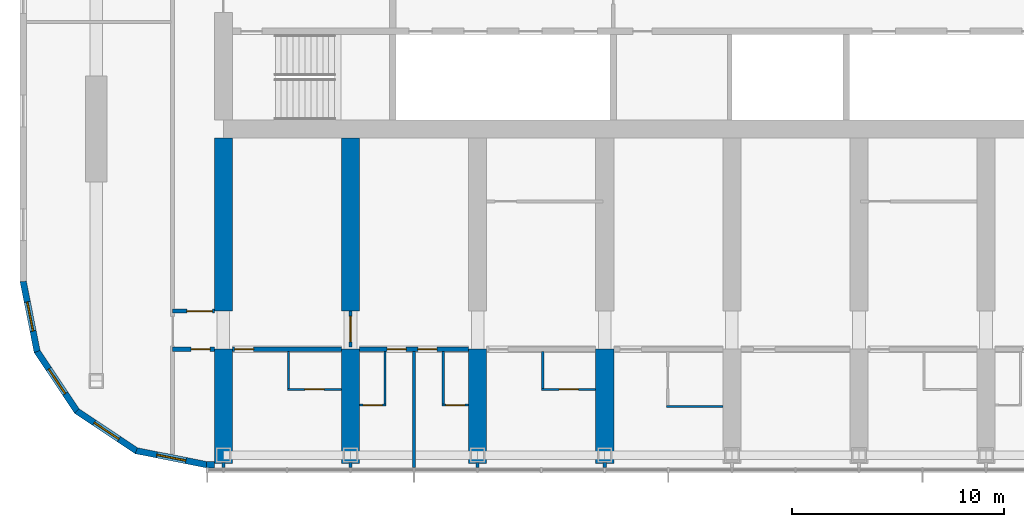
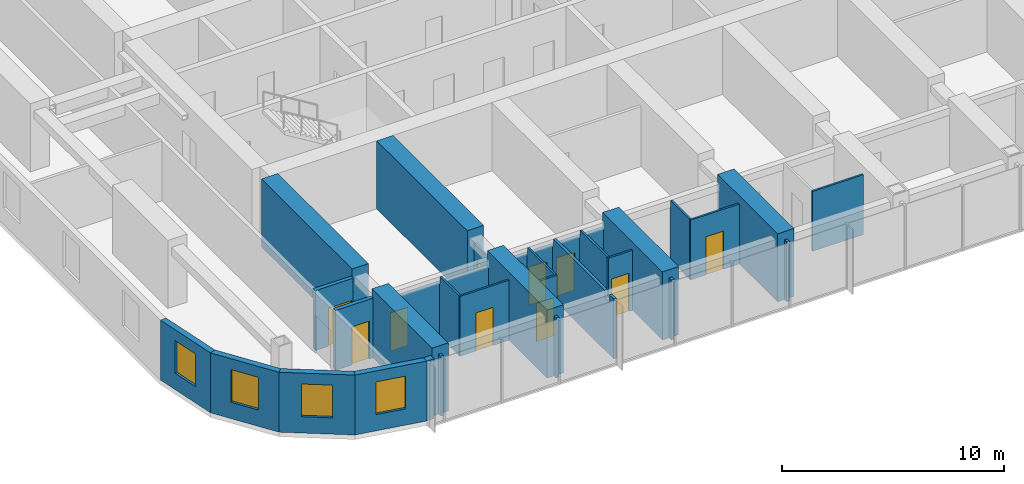
# One storey, part 10 of 22: 30 walls, 10 doors, 4 windows, 14 openings.
"""IFC4 building model written with IfcOpenShell, lengths in metres."""

from ifc_helpers import new_model, si_unit, direction, frame, frame_2d, origin, place, context, subcontext, project, spatial, polyline, rectangle, outline, extrude, material, layer, layer_set, type_object, element, fill, save


model = new_model("IFC4")

# Units and contexts
model_context = context("Model", 3, precision=1e-05, world=origin(), true_north=direction((0.0, 1.0)))
body_context = subcontext(model_context, "Body", "Model", "MODEL_VIEW")
ifc_project = project(units=[si_unit("LENGTHUNIT", "METRE"), si_unit("AREAUNIT", "SQUARE_METRE"), si_unit("VOLUMEUNIT", "CUBIC_METRE"), si_unit("PLANEANGLEUNIT", "RADIAN"), si_unit("MASSUNIT", "GRAM", prefix="KILO")], contexts=[model_context])

# Site, building, storey
site_placement = place(None, origin())
site = spatial("IfcSite", under=ifc_project, at=site_placement, CompositionType="ELEMENT")
building_placement = place(site_placement, origin())
building = spatial("IfcBuilding", under=site, at=building_placement, Name="Orbita Commons", CompositionType="ELEMENT")
storey_placement = place(building_placement, frame((0.0, 0.0, 189.85009765625)))
storey = spatial("IfcBuildingStorey", under=building, at=storey_placement, Name="L47", CompositionType="ELEMENT", Elevation=189.85009765625)

# Wall, opening, door
ifc_material_1 = material(Name="Concrete blockwork", Category="masonry")
ifc_layer_1 = layer(ifc_material_1, 0.199951171875)
ifc_layer_set_1 = layer_set([ifc_layer_1], Name="Concrete blockwork")
wall_type_1 = type_object("IfcWallType", Name="Corridor wall 200 blockwork", PredefinedType="SOLIDWALL", material=ifc_layer_set_1)
wall_1_placement = place(storey_placement, frame((15.60009765625, 15.39990234375, 0.0), z_axis=(0.0, 0.0, 1.0), x_axis=(1.0, 0.0, 0.0)))
wall_1 = element("IfcWall", 1, at=wall_1_placement, inside=storey, type_object=wall_type_1, Name="Corridor wall 200 blockwork L47", PredefinedType="SOLIDWALL", context=body_context, shape_type="SweptSolid", body=[
    extrude(rectangle(XDim=1.974853515625, YDim=0.199951171875, at=frame_2d((0.9873046875, 0.0))), origin(), (0.0, 0.0, 1.0), 3.2998046875),
])
opening_1_placement = place(wall_1_placement, frame((0.875, 0.0, 0.0)))
opening_1 = element("IfcOpeningElement", 2, at=opening_1_placement, cuts=wall_1, Name="Opening D05", PredefinedType="OPENING", context=body_context, shape_type="SweptSolid", body=[
    extrude(rectangle(XDim=0.89990234375, YDim=2.10009765625, at=frame_2d((0.449951171875, 1.050048828125))), frame((0.0, 0.10986328125, 0.0), z_axis=(0.0, -1.0, 0.0), x_axis=(1.0, 0.0, 0.0)), (0.0, 0.0, 1.0), 0.219970703125),
])
ifc_material_2 = material(Name="Steel-faced fire door leaf", Category="steel")
door_type_1 = type_object("IfcDoorType", Name="Service door 20 min 900x2100", OperationType="SINGLE_SWING_LEFT", PredefinedType="DOOR", material=ifc_material_2)
door_1_placement = place(opening_1_placement, origin())
door_1 = element("IfcDoor", 3, at=door_1_placement, inside=storey, type_object=door_type_1, Name="Linen store L47-KWS door", OperationType="SINGLE_SWING_LEFT", OverallHeight=2.10009765625, OverallWidth=0.89990234375, PredefinedType="DOOR", context=body_context, shape_type="SweptSolid", body=[
    extrude(rectangle(XDim=0.89990234375, YDim=2.10009765625, at=frame_2d((0.449951171875, 1.050048828125))), frame((0.0, 0.02490234375, 0.0), z_axis=(0.0, -1.0, 0.0), x_axis=(1.0, 0.0, 0.0)), (0.0, 0.0, 1.0), 0.050048828125),
])
fill(opening_1, door_1)

wall_2_placement = place(storey_placement, frame((18.425048828125, 15.39990234375, 0.0), z_axis=(0.0, 0.0, 1.0), x_axis=(1.0, 0.0, 0.0)))
wall_2 = element("IfcWall", 4, at=wall_2_placement, inside=storey, type_object=wall_type_1, Name="Corridor wall 200 blockwork L47", PredefinedType="SOLIDWALL", context=body_context, shape_type="SweptSolid", body=[
    extrude(outline(polyline([(0.0, 0.0), (5.14990234375, 0.0), (5.14990234375, 2.89990234375), (0.0, 2.89990234375), (0.0, 0.0)])), frame((0.0, 0.10009765625, 0.0), z_axis=(0.0, -1.0, 0.0), x_axis=(1.0, 0.0, 0.0)), (0.0, 0.0, 1.0), 0.199951171875),
])
opening_2_placement = place(wall_2_placement, frame((0.10009765625, 0.0, 0.0)))
opening_2 = element("IfcOpeningElement", 5, at=opening_2_placement, cuts=wall_2, Name="Opening D11", PredefinedType="OPENING", context=body_context, shape_type="SweptSolid", body=[
    extrude(rectangle(XDim=0.89990234375, YDim=2.10009765625, at=frame_2d((0.449951171875, 1.050048828125))), frame((0.0, 0.10986328125, 0.0), z_axis=(0.0, -1.0, 0.0), x_axis=(1.0, 0.0, 0.0)), (0.0, 0.0, 1.0), 0.219970703125),
])
ifc_material_3 = material(Name="Steel-faced fire door leaf", Category="steel")
door_type_2 = type_object("IfcDoorType", Name="Corridor door 20 min 900x2100", OperationType="SINGLE_SWING_LEFT", PredefinedType="DOOR", material=ifc_material_3)
door_2_placement = place(opening_2_placement, origin())
door_2 = element("IfcDoor", 6, at=door_2_placement, inside=storey, type_object=door_type_2, Name="Twin room L47-S00 door", OperationType="SINGLE_SWING_LEFT", OverallHeight=2.10009765625, OverallWidth=0.89990234375, PredefinedType="DOOR", context=body_context, shape_type="SweptSolid", body=[
    extrude(rectangle(XDim=0.89990234375, YDim=2.10009765625, at=frame_2d((0.449951171875, 1.050048828125))), frame((0.0, 0.02490234375, 0.0), z_axis=(0.0, -1.0, 0.0), x_axis=(1.0, 0.0, 0.0)), (0.0, 0.0, 1.0), 0.050048828125),
])
fill(opening_2, door_2)

# Wall, openings, doors
wall_3_placement = place(storey_placement, frame((24.425048828125, 15.39990234375, 0.0), z_axis=(0.0, 0.0, 1.0), x_axis=(1.0, 0.0, 0.0)))
wall_3 = element("IfcWall", 7, at=wall_3_placement, inside=storey, type_object=wall_type_1, Name="Corridor wall 200 blockwork L47", PredefinedType="SOLIDWALL", context=body_context, shape_type="SweptSolid", body=[
    extrude(outline(polyline([(0.0, 0.0), (5.14990234375, 0.0), (5.14990234375, 2.89990234375), (0.0, 2.89990234375), (0.0, 0.0)])), frame((0.0, 0.10009765625, 0.0), z_axis=(0.0, -1.0, 0.0), x_axis=(1.0, 0.0, 0.0)), (0.0, 0.0, 1.0), 0.199951171875),
])
opening_3_placement = place(wall_3_placement, frame((1.300048828125, 0.0, 0.0)))
opening_3 = element("IfcOpeningElement", 8, at=opening_3_placement, cuts=wall_3, Name="Opening D11", PredefinedType="OPENING", context=body_context, shape_type="SweptSolid", body=[
    extrude(rectangle(XDim=0.89990234375, YDim=2.10009765625, at=frame_2d((0.449951171875, 1.050048828125))), frame((0.0, 0.10986328125, 0.0), z_axis=(0.0, -1.0, 0.0), x_axis=(1.0, 0.0, 0.0)), (0.0, 0.0, 1.0), 0.219970703125),
])
opening_4_placement = place(wall_3_placement, frame((2.75, 0.0, 0.0)))
opening_4 = element("IfcOpeningElement", 9, at=opening_4_placement, cuts=wall_3, Name="Opening D11", PredefinedType="OPENING", context=body_context, shape_type="SweptSolid", body=[
    extrude(rectangle(XDim=0.89990234375, YDim=2.10009765625, at=frame_2d((0.449951171875, 1.050048828125))), frame((0.0, 0.10986328125, 0.0), z_axis=(0.0, -1.0, 0.0), x_axis=(1.0, 0.0, 0.0)), (0.0, 0.0, 1.0), 0.219970703125),
])
door_3_placement = place(opening_3_placement, origin())
door_3 = element("IfcDoor", 10, at=door_3_placement, inside=storey, type_object=door_type_2, Name="Cluster bedroom L47-S02 door", OperationType="SINGLE_SWING_LEFT", OverallHeight=2.10009765625, OverallWidth=0.89990234375, PredefinedType="DOOR", context=body_context, shape_type="SweptSolid", body=[
    extrude(rectangle(XDim=0.89990234375, YDim=2.10009765625, at=frame_2d((0.449951171875, 1.050048828125))), frame((0.0, 0.02490234375, 0.0), z_axis=(0.0, -1.0, 0.0), x_axis=(1.0, 0.0, 0.0)), (0.0, 0.0, 1.0), 0.050048828125),
])
fill(opening_3, door_3)
door_4_placement = place(opening_4_placement, origin())
door_4 = element("IfcDoor", 11, at=door_4_placement, inside=storey, type_object=door_type_2, Name="Cluster bedroom L47-S03 door", OperationType="SINGLE_SWING_LEFT", OverallHeight=2.10009765625, OverallWidth=0.89990234375, PredefinedType="DOOR", context=body_context, shape_type="SweptSolid", body=[
    extrude(rectangle(XDim=0.89990234375, YDim=2.10009765625, at=frame_2d((0.449951171875, 1.050048828125))), frame((0.0, 0.02490234375, 0.0), z_axis=(0.0, -1.0, 0.0), x_axis=(1.0, 0.0, 0.0)), (0.0, 0.0, 1.0), 0.050048828125),
])
fill(opening_4, door_4)

# Wall, opening, door
ifc_material_4 = material(Name="Hollow concrete block 200", Category="concrete")
ifc_layer_2 = layer(ifc_material_4, 0.199951171875)
ifc_layer_set_2 = layer_set([ifc_layer_2], Name="Hollow concrete block 200")
wall_type_2 = type_object("IfcWallType", Name="Corridor wall 200 hollow concrete block", PredefinedType="SOLIDWALL", material=ifc_layer_set_2)
wall_4_placement = place(storey_placement, frame((15.60009765625, 17.199951171875, 0.0), z_axis=(0.0, 0.0, 1.0), x_axis=(1.0, 0.0, 0.0)))
wall_4 = element("IfcWall", 12, at=wall_4_placement, inside=storey, type_object=wall_type_2, Name="Corridor wall 200 hollow concrete block L47", PredefinedType="SOLIDWALL", context=body_context, shape_type="SweptSolid", body=[
    extrude(rectangle(XDim=1.974853515625, YDim=0.199951171875, at=frame_2d((0.9873046875, 0.0))), origin(), (0.0, 0.0, 1.0), 3.2998046875),
])
opening_5_placement = place(wall_4_placement, frame((0.675048828125, 0.0, 0.0)))
opening_5 = element("IfcOpeningElement", 13, at=opening_5_placement, cuts=wall_4, Name="Opening D12", PredefinedType="OPENING", context=body_context, shape_type="SweptSolid", body=[
    extrude(rectangle(XDim=1.199951171875, YDim=2.10009765625, at=frame_2d((0.60009765625, 1.050048828125))), frame((0.0, 0.10986328125, 0.0), z_axis=(0.0, -1.0, 0.0), x_axis=(1.0, 0.0, 0.0)), (0.0, 0.0, 1.0), 0.219970703125),
])
ifc_material_5 = material(Name="Steel-faced fire door leaf", Category="steel")
door_type_3 = type_object("IfcDoorType", Name="Double corridor door 20 min 1200x2100", OperationType="DOUBLE_DOOR_SINGLE_SWING", PredefinedType="DOOR", material=ifc_material_5)
door_5_placement = place(opening_5_placement, origin())
door_5 = element("IfcDoor", 14, at=door_5_placement, inside=storey, type_object=door_type_3, Name="Cross corridor doors", OperationType="DOUBLE_DOOR_SINGLE_SWING", OverallHeight=2.10009765625, OverallWidth=1.199951171875, PredefinedType="DOOR", context=body_context, shape_type="SweptSolid", body=[
    extrude(rectangle(XDim=1.199951171875, YDim=2.10009765625, at=frame_2d((0.60009765625, 1.050048828125))), frame((0.0, 0.02490234375, 0.0), z_axis=(0.0, -1.0, 0.0), x_axis=(1.0, 0.0, 0.0)), (0.0, 0.0, 1.0), 0.050048828125),
])
fill(opening_5, door_5)

# Walls
ifc_material_6 = material(Name="Concrete C50/60", Category="concrete")
ifc_layer_3 = layer(ifc_material_6, 0.85009765625)
ifc_layer_set_3 = layer_set([ifc_layer_3], Name="Concrete C50/60")
wall_type_3 = type_object("IfcWallType", Name="Cross wall 850 C50/60", PredefinedType="SHEAR", material=ifc_layer_set_3)
wall_5_placement = place(storey_placement, frame((18.0, 10.0, 0.0), z_axis=(0.0, 0.0, 1.0), x_axis=(0.0, 1.0, 0.0)))
element("IfcWall", 15, at=wall_5_placement, inside=storey, type_object=wall_type_3, Name="Cross wall 4 south outer L47", PredefinedType="SHEAR", context=body_context, shape_type="SweptSolid", body=[
    extrude(rectangle(XDim=5.39990234375, YDim=0.85009765625, at=frame_2d((2.699951171875, 0.0))), origin(), (0.0, 0.0, 1.0), 3.75),
])
wall_6_placement = place(storey_placement, frame((18.0, 17.199951171875, 0.0), z_axis=(0.0, 0.0, 1.0), x_axis=(0.0, 1.0, 0.0)))
element("IfcWall", 16, at=wall_6_placement, inside=storey, type_object=wall_type_3, Name="Cross wall 4 south inner L47", PredefinedType="SHEAR", context=body_context, shape_type="SweptSolid", body=[
    extrude(rectangle(XDim=8.175048828125, YDim=0.85009765625, at=frame_2d((4.08740234375, 0.0))), origin(), (0.0, 0.0, 1.0), 3.75),
])
wall_7_placement = place(storey_placement, frame((24.0, 10.0, 0.0), z_axis=(0.0, 0.0, 1.0), x_axis=(0.0, 1.0, 0.0)))
element("IfcWall", 17, at=wall_7_placement, inside=storey, type_object=wall_type_3, Name="Cross wall 5 south outer L47", PredefinedType="SHEAR", context=body_context, shape_type="SweptSolid", body=[
    extrude(rectangle(XDim=5.39990234375, YDim=0.85009765625, at=frame_2d((2.699951171875, 0.0))), origin(), (0.0, 0.0, 1.0), 3.75),
])
wall_8_placement = place(storey_placement, frame((24.0, 17.199951171875, 0.0), z_axis=(0.0, 0.0, 1.0), x_axis=(0.0, 1.0, 0.0)))
element("IfcWall", 18, at=wall_8_placement, inside=storey, type_object=wall_type_3, Name="Cross wall 5 south inner L47", PredefinedType="SHEAR", context=body_context, shape_type="SweptSolid", body=[
    extrude(rectangle(XDim=8.175048828125, YDim=0.85009765625, at=frame_2d((4.08740234375, 0.0))), origin(), (0.0, 0.0, 1.0), 3.75),
])
for number, where, z_axis, x_axis, name in (
    (19, (30.0, 10.0, 0.0), (0.0, 0.0, 1.0), (0.0, 1.0, 0.0), "Cross wall 6 south outer L47"),
    (20, (36.0, 10.0, 0.0), (0.0, 0.0, 1.0), (0.0, 1.0, 0.0), "Cross wall 7 south outer L47"),
):
    element("IfcWall", number, at=place(storey_placement, frame(where, z_axis=z_axis, x_axis=x_axis)), inside=storey, type_object=wall_type_3, Name=name, PredefinedType="SHEAR", context=body_context, shape_type="SweptSolid", body=[
        extrude(rectangle(XDim=5.39990234375, YDim=0.85009765625, at=frame_2d((2.699951171875, 0.0))), origin(), (0.0, 0.0, 1.0), 3.75),
    ])

# Wall, opening, door
ifc_material_7 = material(Name="Moisture-resistant plasterboard on steel studs", Category="steel")
ifc_layer_4 = layer(ifc_material_7, 0.10009765625)
ifc_layer_set_4 = layer_set([ifc_layer_4], Name="Moisture-resistant plasterboard on steel studs")
wall_type_4 = type_object("IfcWallType", Name="En-suite partition 100", PredefinedType="PARTITIONING", material=ifc_layer_set_4)
wall_9_placement = place(storey_placement, frame((23.574951171875, 13.5, 0.0), z_axis=(0.0, 0.0, 1.0), x_axis=(-1.0, 0.0, 0.0)))
wall_9 = element("IfcWall", 21, at=wall_9_placement, inside=storey, type_object=wall_type_4, Name="En-suite partition 100 L47", PredefinedType="PARTITIONING", context=body_context, shape_type="SweptSolid", body=[
    extrude(rectangle(XDim=2.550048828125, YDim=0.10009765625, at=frame_2d((1.27490234375, 0.0))), origin(), (0.0, 0.0, 1.0), 3.2998046875),
])
opening_6_placement = place(wall_9_placement, frame((0.824951171875, 0.0, 0.0)))
opening_6 = element("IfcOpeningElement", 22, at=opening_6_placement, cuts=wall_9, Name="Opening D09", PredefinedType="OPENING", context=body_context, shape_type="SweptSolid", body=[
    extrude(rectangle(XDim=0.89990234375, YDim=2.10009765625, at=frame_2d((0.449951171875, 1.050048828125))), frame((0.0, 0.06005859375, 0.0), z_axis=(0.0, -1.0, 0.0), x_axis=(1.0, 0.0, 0.0)), (0.0, 0.0, 1.0), 0.1201171875),
])
ifc_material_8 = material(Name="Laminated timber door leaf", Category="wood")
door_type_4 = type_object("IfcDoorType", Name="En-suite door 900x2100", OperationType="SINGLE_SWING_RIGHT", PredefinedType="DOOR", material=ifc_material_8)
door_6_placement = place(opening_6_placement, origin())
door_6 = element("IfcDoor", 23, at=door_6_placement, inside=storey, type_object=door_type_4, Name="En-suite L47-S00 door", OperationType="SINGLE_SWING_RIGHT", OverallHeight=2.10009765625, OverallWidth=0.89990234375, PredefinedType="DOOR", context=body_context, shape_type="SweptSolid", body=[
    extrude(rectangle(XDim=0.89990234375, YDim=2.10009765625, at=frame_2d((0.449951171875, 1.050048828125))), frame((0.0, 0.02490234375, 0.0), z_axis=(0.0, -1.0, 0.0), x_axis=(1.0, 0.0, 0.0)), (0.0, 0.0, 1.0), 0.050048828125),
])
fill(opening_6, door_6)

# Wall
wall_10_placement = place(storey_placement, frame((21.074951171875, 13.550048828125, 0.0), z_axis=(0.0, 0.0, 1.0), x_axis=(0.0, 1.0, 0.0)))
element("IfcWall", 24, at=wall_10_placement, inside=storey, type_object=wall_type_4, Name="En-suite partition 100 L47", PredefinedType="PARTITIONING", context=body_context, shape_type="SweptSolid", body=[
    extrude(outline(polyline([(0.0, 0.0), (1.75, 0.0), (1.75, 2.89990234375), (1.701904296875, 2.89990234375), (1.699951171875, 3.2998046875), (0.0, 3.2998046875), (0.0, 0.0)])), frame((0.0, 0.050048828125, 0.0), z_axis=(0.0, -1.0, 0.0), x_axis=(1.0, 0.0, 0.0)), (0.0, 0.0, 1.0), 0.10009765625),
])

# Wall, opening, door
wall_11_placement = place(storey_placement, frame((25.675048828125, 12.75830078125, 0.0), z_axis=(0.0, 0.0, 1.0), x_axis=(-1.0, 0.0, 0.0)))
wall_11 = element("IfcWall", 25, at=wall_11_placement, inside=storey, type_object=wall_type_4, Name="En-suite partition 100 L47", PredefinedType="PARTITIONING", context=body_context, shape_type="SweptSolid", body=[
    extrude(rectangle(XDim=1.25, YDim=0.10009765625, at=frame_2d((0.625, 0.0))), origin(), (0.0, 0.0, 1.0), 3.2998046875),
])
opening_7_placement = place(wall_11_placement, frame((0.175048828125, 0.0, 0.0)))
opening_7 = element("IfcOpeningElement", 26, at=opening_7_placement, cuts=wall_11, Name="Opening D09", PredefinedType="OPENING", context=body_context, shape_type="SweptSolid", body=[
    extrude(rectangle(XDim=0.89990234375, YDim=2.10009765625, at=frame_2d((0.449951171875, 1.050048828125))), frame((0.0, 0.06005859375, 0.0), z_axis=(0.0, -1.0, 0.0), x_axis=(1.0, 0.0, 0.0)), (0.0, 0.0, 1.0), 0.1201171875),
])
door_7_placement = place(opening_7_placement, origin())
door_7 = element("IfcDoor", 27, at=door_7_placement, inside=storey, type_object=door_type_4, Name="En-suite L47-S02 door", OperationType="SINGLE_SWING_RIGHT", OverallHeight=2.10009765625, OverallWidth=0.89990234375, PredefinedType="DOOR", context=body_context, shape_type="SweptSolid", body=[
    extrude(rectangle(XDim=0.89990234375, YDim=2.10009765625, at=frame_2d((0.449951171875, 1.050048828125))), frame((0.0, 0.02490234375, 0.0), z_axis=(0.0, -1.0, 0.0), x_axis=(1.0, 0.0, 0.0)), (0.0, 0.0, 1.0), 0.050048828125),
])
fill(opening_7, door_7)

# Wall
wall_12_placement = place(storey_placement, frame((25.625, 12.808349609375, 0.0), z_axis=(0.0, 0.0, 1.0), x_axis=(0.0, 1.0, 0.0)))
element("IfcWall", 28, at=wall_12_placement, inside=storey, type_object=wall_type_4, Name="En-suite partition 100 L47", PredefinedType="PARTITIONING", context=body_context, shape_type="SweptSolid", body=[
    extrude(outline(polyline([(0.0, 0.0), (2.49169921875, 0.0), (2.49169921875, 2.89990234375), (2.443603515625, 2.89990234375), (2.441650390625, 3.2998046875), (0.0, 3.2998046875), (0.0, 0.0)])), frame((0.0, 0.050048828125, 0.0), z_axis=(0.0, -1.0, 0.0), x_axis=(1.0, 0.0, 0.0)), (0.0, 0.0, 1.0), 0.10009765625),
])

# Wall, opening, door
wall_13_placement = place(storey_placement, frame((29.574951171875, 12.75830078125, 0.0), z_axis=(0.0, 0.0, 1.0), x_axis=(-1.0, 0.0, 0.0)))
wall_13 = element("IfcWall", 29, at=wall_13_placement, inside=storey, type_object=wall_type_4, Name="En-suite partition 100 L47", PredefinedType="PARTITIONING", context=body_context, shape_type="SweptSolid", body=[
    extrude(rectangle(XDim=1.25, YDim=0.10009765625, at=frame_2d((0.625, 0.0))), origin(), (0.0, 0.0, 1.0), 3.2998046875),
])
opening_8_placement = place(wall_13_placement, frame((0.175048828125, 0.0, 0.0)))
opening_8 = element("IfcOpeningElement", 30, at=opening_8_placement, cuts=wall_13, Name="Opening D09", PredefinedType="OPENING", context=body_context, shape_type="SweptSolid", body=[
    extrude(rectangle(XDim=0.89990234375, YDim=2.10009765625, at=frame_2d((0.449951171875, 1.050048828125))), frame((0.0, 0.06005859375, 0.0), z_axis=(0.0, -1.0, 0.0), x_axis=(1.0, 0.0, 0.0)), (0.0, 0.0, 1.0), 0.1201171875),
])
door_8_placement = place(opening_8_placement, origin())
door_8 = element("IfcDoor", 31, at=door_8_placement, inside=storey, type_object=door_type_4, Name="En-suite L47-S03 door", OperationType="SINGLE_SWING_RIGHT", OverallHeight=2.10009765625, OverallWidth=0.89990234375, PredefinedType="DOOR", context=body_context, shape_type="SweptSolid", body=[
    extrude(rectangle(XDim=0.89990234375, YDim=2.10009765625, at=frame_2d((0.449951171875, 1.050048828125))), frame((0.0, 0.02490234375, 0.0), z_axis=(0.0, -1.0, 0.0), x_axis=(1.0, 0.0, 0.0)), (0.0, 0.0, 1.0), 0.050048828125),
])
fill(opening_8, door_8)

# Wall
wall_14_placement = place(storey_placement, frame((28.375, 12.808349609375, 0.0), z_axis=(0.0, 0.0, 1.0), x_axis=(0.0, 1.0, 0.0)))
element("IfcWall", 32, at=wall_14_placement, inside=storey, type_object=wall_type_4, Name="En-suite partition 100 L47", PredefinedType="PARTITIONING", context=body_context, shape_type="SweptSolid", body=[
    extrude(outline(polyline([(0.0, 0.0), (2.49169921875, 0.0), (2.49169921875, 2.89990234375), (2.443603515625, 2.89990234375), (2.441650390625, 3.2998046875), (0.0, 3.2998046875), (0.0, 0.0)])), frame((0.0, 0.050048828125, 0.0), z_axis=(0.0, -1.0, 0.0), x_axis=(1.0, 0.0, 0.0)), (0.0, 0.0, 1.0), 0.10009765625),
])

# Wall, opening, door
wall_15_placement = place(storey_placement, frame((35.574951171875, 13.5, 0.0), z_axis=(0.0, 0.0, 1.0), x_axis=(-1.0, 0.0, 0.0)))
wall_15 = element("IfcWall", 33, at=wall_15_placement, inside=storey, type_object=wall_type_4, Name="En-suite partition 100 L47", PredefinedType="PARTITIONING", context=body_context, shape_type="SweptSolid", body=[
    extrude(rectangle(XDim=2.550048828125, YDim=0.10009765625, at=frame_2d((1.27490234375, 0.0))), origin(), (0.0, 0.0, 1.0), 3.2998046875),
])
opening_9_placement = place(wall_15_placement, frame((0.824951171875, 0.0, 0.0)))
opening_9 = element("IfcOpeningElement", 34, at=opening_9_placement, cuts=wall_15, Name="Opening D09", PredefinedType="OPENING", context=body_context, shape_type="SweptSolid", body=[
    extrude(rectangle(XDim=0.89990234375, YDim=2.10009765625, at=frame_2d((0.449951171875, 1.050048828125))), frame((0.0, 0.06005859375, 0.0), z_axis=(0.0, -1.0, 0.0), x_axis=(1.0, 0.0, 0.0)), (0.0, 0.0, 1.0), 0.1201171875),
])
door_9_placement = place(opening_9_placement, origin())
door_9 = element("IfcDoor", 35, at=door_9_placement, inside=storey, type_object=door_type_4, Name="En-suite L47-S04 door", OperationType="SINGLE_SWING_RIGHT", OverallHeight=2.10009765625, OverallWidth=0.89990234375, PredefinedType="DOOR", context=body_context, shape_type="SweptSolid", body=[
    extrude(rectangle(XDim=0.89990234375, YDim=2.10009765625, at=frame_2d((0.449951171875, 1.050048828125))), frame((0.0, 0.02490234375, 0.0), z_axis=(0.0, -1.0, 0.0), x_axis=(1.0, 0.0, 0.0)), (0.0, 0.0, 1.0), 0.050048828125),
])
fill(opening_9, door_9)

# Walls
wall_16_placement = place(storey_placement, frame((33.074951171875, 13.550048828125, 0.0), z_axis=(0.0, 0.0, 1.0), x_axis=(0.0, 1.0, 0.0)))
element("IfcWall", 36, at=wall_16_placement, inside=storey, type_object=wall_type_4, Name="En-suite partition 100 L47", PredefinedType="PARTITIONING", context=body_context, shape_type="SweptSolid", body=[
    extrude(outline(polyline([(0.0, 0.0), (1.75, 0.0), (1.75, 2.89990234375), (1.701904296875, 2.89990234375), (1.699951171875, 3.2998046875), (0.0, 3.2998046875), (0.0, 0.0)])), frame((0.0, 0.050048828125, 0.0), z_axis=(0.0, -1.0, 0.0), x_axis=(1.0, 0.0, 0.0)), (0.0, 0.0, 1.0), 0.10009765625),
])
wall_17_placement = place(storey_placement, frame((38.925048828125, 12.699951171875, 0.0), z_axis=(0.0, 0.0, 1.0), x_axis=(1.0, 0.0, 0.0)))
element("IfcWall", 37, at=wall_17_placement, inside=storey, type_object=wall_type_4, Name="En-suite partition 100 L47", PredefinedType="PARTITIONING", context=body_context, shape_type="SweptSolid", body=[
    extrude(rectangle(XDim=2.64990234375, YDim=0.10009765625, at=frame_2d((1.324951171875, 0.0))), origin(), (0.0, 0.0, 1.0), 3.2998046875),
])

# Wall, opening, door
ifc_material_9 = material(Name="Gypsum plasterboard on steel studs", Category="steel")
ifc_layer_5 = layer(ifc_material_9, 0.14990234375)
ifc_layer_set_5 = layer_set([ifc_layer_5], Name="Gypsum plasterboard on steel studs")
wall_type_5 = type_object("IfcWallType", Name="Partition 150 plasterboard", PredefinedType="PARTITIONING", material=ifc_layer_set_5)
wall_18_placement = place(storey_placement, frame((24.0, 15.5, 0.0), z_axis=(0.0, 0.0, 1.0), x_axis=(0.0, 1.0, 0.0)))
wall_18 = element("IfcWall", 38, at=wall_18_placement, inside=storey, type_object=wall_type_5, Name="Partition 150 plasterboard L47", PredefinedType="PARTITIONING", context=body_context, shape_type="SweptSolid", body=[
    extrude(outline(polyline([(0.0, 0.0), (1.699951171875, 0.0), (1.699951171875, 2.89990234375), (0.0, 2.89990234375), (0.0, 0.0)])), frame((0.0, 0.074951171875, 0.0), z_axis=(0.0, -1.0, 0.0), x_axis=(1.0, 0.0, 0.0)), (0.0, 0.0, 1.0), 0.14990234375),
])
opening_10_placement = place(wall_18_placement, frame((0.25, 0.0, 0.0)))
opening_10 = element("IfcOpeningElement", 39, at=opening_10_placement, cuts=wall_18, Name="Opening D12", PredefinedType="OPENING", context=body_context, shape_type="SweptSolid", body=[
    extrude(rectangle(XDim=1.199951171875, YDim=2.10009765625, at=frame_2d((0.60009765625, 1.050048828125))), frame((0.0, 0.0849609375, 0.0), z_axis=(0.0, -1.0, 0.0), x_axis=(1.0, 0.0, 0.0)), (0.0, 0.0, 1.0), 0.169921875),
])
door_10_placement = place(opening_10_placement, origin())
door_10 = element("IfcDoor", 40, at=door_10_placement, inside=storey, type_object=door_type_3, Name="Social spine south screen doors", OperationType="DOUBLE_DOOR_SINGLE_SWING", OverallHeight=2.10009765625, OverallWidth=1.199951171875, PredefinedType="DOOR", context=body_context, shape_type="SweptSolid", body=[
    extrude(rectangle(XDim=1.199951171875, YDim=2.10009765625, at=frame_2d((0.60009765625, 1.050048828125))), frame((0.0, 0.02490234375, 0.0), z_axis=(0.0, -1.0, 0.0), x_axis=(1.0, 0.0, 0.0)), (0.0, 0.0, 1.0), 0.050048828125),
])
fill(opening_10, door_10)

# Walls
for number, where, z_axis, x_axis, name in (
    (41, (18.0, 10.050048828125, 0.0), (0.0, 0.0, 1.0), (0.0, -1.0, 0.0), "Partition 150 plasterboard L47"),
    (42, (24.0, 10.050048828125, 0.0), (0.0, 0.0, 1.0), (0.0, -1.0, 0.0), "Partition 150 plasterboard L47"),
    (43, (30.0, 10.050048828125, 0.0), (0.0, 0.0, 1.0), (0.0, -1.0, 0.0), "Partition 150 plasterboard L47"),
    (44, (36.0, 10.050048828125, 0.0), (0.0, 0.0, 1.0), (0.0, -1.0, 0.0), "Partition 150 plasterboard L47"),
):
    element("IfcWall", number, at=place(storey_placement, frame(where, z_axis=z_axis, x_axis=x_axis)), inside=storey, type_object=wall_type_5, Name=name, PredefinedType="PARTITIONING", context=body_context, shape_type="SweptSolid", body=[
        extrude(rectangle(XDim=0.239990234375, YDim=0.14990234375, at=frame_2d((0.1201171875, 0.0))), origin(), (0.0, 0.0, 1.0), 3.2998046875),
    ])
ifc_material_10 = material(Name="Gypsum plasterboard on steel studs", Category="steel")
ifc_layer_6 = layer(ifc_material_10, 0.14990234375)
ifc_layer_set_6 = layer_set([ifc_layer_6], Name="Gypsum plasterboard on steel studs")
wall_type_6 = type_object("IfcWallType", Name="Party wall 150 plasterboard", PredefinedType="PARTITIONING", material=ifc_layer_set_6)
wall_19_placement = place(storey_placement, frame((27.0, 9.81005859375, 0.0), z_axis=(0.0, 0.0, 1.0), x_axis=(0.0, 1.0, 0.0)))
element("IfcWall", 45, at=wall_19_placement, inside=storey, type_object=wall_type_6, Name="Party wall 150 plasterboard L47", PredefinedType="PARTITIONING", context=body_context, shape_type="SweptSolid", body=[
    extrude(outline(polyline([(0.0, 0.0), (5.489990234375, 0.0), (5.489990234375, 2.89990234375), (5.44189453125, 2.89990234375), (5.43994140625, 3.2998046875), (0.7919921875, 3.2998046875), (0.7900390625, 2.89990234375), (0.39208984375, 2.89990234375), (0.389892578125, 3.2998046875), (0.0, 3.2998046875), (0.0, 0.0)])), frame((0.0, 0.074951171875, 0.0), z_axis=(0.0, -1.0, 0.0), x_axis=(1.0, 0.0, 0.0)), (0.0, 0.0, 1.0), 0.14990234375),
])

# Wall, opening, window
ifc_material_11 = material(Name="Precast concrete C40/50, white board-marked finish", Category="concrete")
ifc_layer_7 = layer(ifc_material_11, 0.300048828125)
ifc_layer_set_7 = layer_set([ifc_layer_7], Name="Precast concrete C40/50, white board-marked finish")
wall_type_7 = type_object("IfcWallType", Name="Precast concrete end shield 300", PredefinedType="SOLIDWALL", material=ifc_layer_set_7)
wall_20_placement = place(storey_placement, frame((8.550048828125, 18.60009765625, 0.0), z_axis=(0.0, 0.0, 1.0), x_axis=(0.19508664885, -0.980786011034, 0.0)))
wall_20 = element("IfcWall", 46, at=wall_20_placement, inside=storey, type_object=wall_type_7, Name="End shield SW chord 1 L47", PredefinedType="SOLIDWALL", context=body_context, shape_type="SweptSolid", body=[
    extrude(outline(polyline([(-0.014892578125, -0.14990234375), (3.405029296875, -0.14990234375), (3.345458984375, 0.14990234375), (0.014892578125, 0.14990234375), (-0.014892578125, -0.14990234375)])), origin(), (0.0, 0.0, 1.0), 3.2998046875),
])
opening_11_placement = place(wall_20_placement, frame((0.987548828125, 0.0, 0.89990234375)))
opening_11 = element("IfcOpeningElement", 47, at=opening_11_placement, cuts=wall_20, Name="Opening W02", PredefinedType="OPENING", context=body_context, shape_type="SweptSolid", body=[
    extrude(rectangle(XDim=1.39990234375, YDim=1.800048828125, at=frame_2d((0.699951171875, 0.89990234375))), frame((0.0, 0.159912109375, 0.0), z_axis=(0.0, -1.0, 0.0), x_axis=(1.0, 0.0, 0.0)), (0.0, 0.0, 1.0), 0.320068359375),
])
ifc_material_12 = material(Name="Aluminium frame, clear double glazing", Category="aluminium")
window_type = type_object("IfcWindowType", Name="Deep-set window 1400x1800", PartitioningType="SINGLE_PANEL", PredefinedType="WINDOW", material=ifc_material_12)
window_1_placement = place(opening_11_placement, origin())
window_1 = element("IfcWindow", 48, at=window_1_placement, inside=storey, type_object=window_type, Name="Window L47-SW0", OverallHeight=1.800048828125, OverallWidth=1.39990234375, PartitioningType="SINGLE_PANEL", PredefinedType="WINDOW", context=body_context, shape_type="SweptSolid", body=[
    extrude(rectangle(XDim=1.39990234375, YDim=1.800048828125, at=frame_2d((0.699951171875, 0.89990234375))), frame((0.0, 0.030029296875, 0.0), z_axis=(0.0, -1.0, 0.0), x_axis=(1.0, 0.0, 0.0)), (0.0, 0.0, 1.0), 0.06005859375),
])
fill(opening_11, window_1)

wall_21_placement = place(storey_placement, frame((9.20849609375, 15.289794921875, 0.0), z_axis=(0.0, 0.0, 1.0), x_axis=(0.555534554399, -0.831493450887, 0.0)))
wall_21 = element("IfcWall", 49, at=wall_21_placement, inside=storey, type_object=wall_type_7, Name="End shield SW chord 2 L47", PredefinedType="SOLIDWALL", context=body_context, shape_type="SweptSolid", body=[
    extrude(outline(polyline([(-0.02978515625, -0.14990234375), (3.405029296875, -0.14990234375), (3.345458984375, 0.14990234375), (0.02978515625, 0.14990234375), (-0.02978515625, -0.14990234375)])), origin(), (0.0, 0.0, 1.0), 3.2998046875),
])
opening_12_placement = place(wall_21_placement, frame((0.987548828125, 0.0, 0.89990234375)))
opening_12 = element("IfcOpeningElement", 50, at=opening_12_placement, cuts=wall_21, Name="Opening W02", PredefinedType="OPENING", context=body_context, shape_type="SweptSolid", body=[
    extrude(rectangle(XDim=1.39990234375, YDim=1.800048828125, at=frame_2d((0.699951171875, 0.89990234375))), frame((0.0, 0.159912109375, 0.0), z_axis=(0.0, -1.0, 0.0), x_axis=(1.0, 0.0, 0.0)), (0.0, 0.0, 1.0), 0.320068359375),
])
window_2_placement = place(opening_12_placement, origin())
window_2 = element("IfcWindow", 51, at=window_2_placement, inside=storey, type_object=window_type, Name="Window L47-SW1", OverallHeight=1.800048828125, OverallWidth=1.39990234375, PartitioningType="SINGLE_PANEL", PredefinedType="WINDOW", context=body_context, shape_type="SweptSolid", body=[
    extrude(rectangle(XDim=1.39990234375, YDim=1.800048828125, at=frame_2d((0.699951171875, 0.89990234375))), frame((0.0, 0.030029296875, 0.0), z_axis=(0.0, -1.0, 0.0), x_axis=(1.0, 0.0, 0.0)), (0.0, 0.0, 1.0), 0.06005859375),
])
fill(opening_12, window_2)

wall_22_placement = place(storey_placement, frame((11.08349609375, 12.4833984375, 0.0), z_axis=(0.0, 0.0, 1.0), x_axis=(0.831493450887, -0.555534554399, 0.0)))
wall_22 = element("IfcWall", 52, at=wall_22_placement, inside=storey, type_object=wall_type_7, Name="End shield SW chord 3 L47", PredefinedType="SOLIDWALL", context=body_context, shape_type="SweptSolid", body=[
    extrude(outline(polyline([(-0.02978515625, -0.14990234375), (3.405029296875, -0.14990234375), (3.345458984375, 0.14990234375), (0.02978515625, 0.14990234375), (-0.02978515625, -0.14990234375)])), origin(), (0.0, 0.0, 1.0), 3.2998046875),
])
opening_13_placement = place(wall_22_placement, frame((0.987548828125, 0.0, 0.89990234375)))
opening_13 = element("IfcOpeningElement", 53, at=opening_13_placement, cuts=wall_22, Name="Opening W02", PredefinedType="OPENING", context=body_context, shape_type="SweptSolid", body=[
    extrude(rectangle(XDim=1.39990234375, YDim=1.800048828125, at=frame_2d((0.699951171875, 0.89990234375))), frame((0.0, 0.159912109375, 0.0), z_axis=(0.0, -1.0, 0.0), x_axis=(1.0, 0.0, 0.0)), (0.0, 0.0, 1.0), 0.320068359375),
])
window_3_placement = place(opening_13_placement, origin())
window_3 = element("IfcWindow", 54, at=window_3_placement, inside=storey, type_object=window_type, Name="Window L47-SW2", OverallHeight=1.800048828125, OverallWidth=1.39990234375, PartitioningType="SINGLE_PANEL", PredefinedType="WINDOW", context=body_context, shape_type="SweptSolid", body=[
    extrude(rectangle(XDim=1.39990234375, YDim=1.800048828125, at=frame_2d((0.699951171875, 0.89990234375))), frame((0.0, 0.030029296875, 0.0), z_axis=(0.0, -1.0, 0.0), x_axis=(1.0, 0.0, 0.0)), (0.0, 0.0, 1.0), 0.06005859375),
])
fill(opening_13, window_3)

wall_23_placement = place(storey_placement, frame((13.889892578125, 10.6083984375, 0.0), z_axis=(0.0, 0.0, 1.0), x_axis=(0.98078325777, -0.195100490205, 0.0)))
wall_23 = element("IfcWall", 55, at=wall_23_placement, inside=storey, type_object=wall_type_7, Name="End shield SW chord 4 L47", PredefinedType="SOLIDWALL", context=body_context, shape_type="SweptSolid", body=[
    extrude(outline(polyline([(-0.02978515625, -0.14990234375), (3.40478515625, -0.14990234375), (3.34521484375, 0.14990234375), (0.02978515625, 0.14990234375), (-0.02978515625, -0.14990234375)])), origin(), (0.0, 0.0, 1.0), 3.2998046875),
])
opening_14_placement = place(wall_23_placement, frame((0.987548828125, 0.0, 0.89990234375)))
opening_14 = element("IfcOpeningElement", 56, at=opening_14_placement, cuts=wall_23, Name="Opening W02", PredefinedType="OPENING", context=body_context, shape_type="SweptSolid", body=[
    extrude(rectangle(XDim=1.39990234375, YDim=1.800048828125, at=frame_2d((0.699951171875, 0.89990234375))), frame((0.0, 0.159912109375, 0.0), z_axis=(0.0, -1.0, 0.0), x_axis=(1.0, 0.0, 0.0)), (0.0, 0.0, 1.0), 0.320068359375),
])
window_4_placement = place(opening_14_placement, origin())
window_4 = element("IfcWindow", 57, at=window_4_placement, inside=storey, type_object=window_type, Name="Window L47-SW3", OverallHeight=1.800048828125, OverallWidth=1.39990234375, PartitioningType="SINGLE_PANEL", PredefinedType="WINDOW", context=body_context, shape_type="SweptSolid", body=[
    extrude(rectangle(XDim=1.39990234375, YDim=1.800048828125, at=frame_2d((0.699951171875, 0.89990234375))), frame((0.0, 0.030029296875, 0.0), z_axis=(0.0, -1.0, 0.0), x_axis=(1.0, 0.0, 0.0)), (0.0, 0.0, 1.0), 0.06005859375),
])
fill(opening_14, window_4)

# Wall
wall_24_placement = place(storey_placement, frame((17.199951171875, 9.949951171875, 0.0), z_axis=(0.0, 0.0, 1.0), x_axis=(1.0, 0.0, 0.0)))
element("IfcWall", 58, at=wall_24_placement, inside=storey, type_object=wall_type_7, Name="End shield SW closer L47", PredefinedType="SOLIDWALL", context=body_context, shape_type="SweptSolid", body=[
    extrude(rectangle(XDim=0.375, YDim=0.300048828125, at=frame_2d((0.1875, 0.0))), origin(), (0.0, 0.0, 1.0), 3.2998046875),
])

save(model, "model.ifc")
